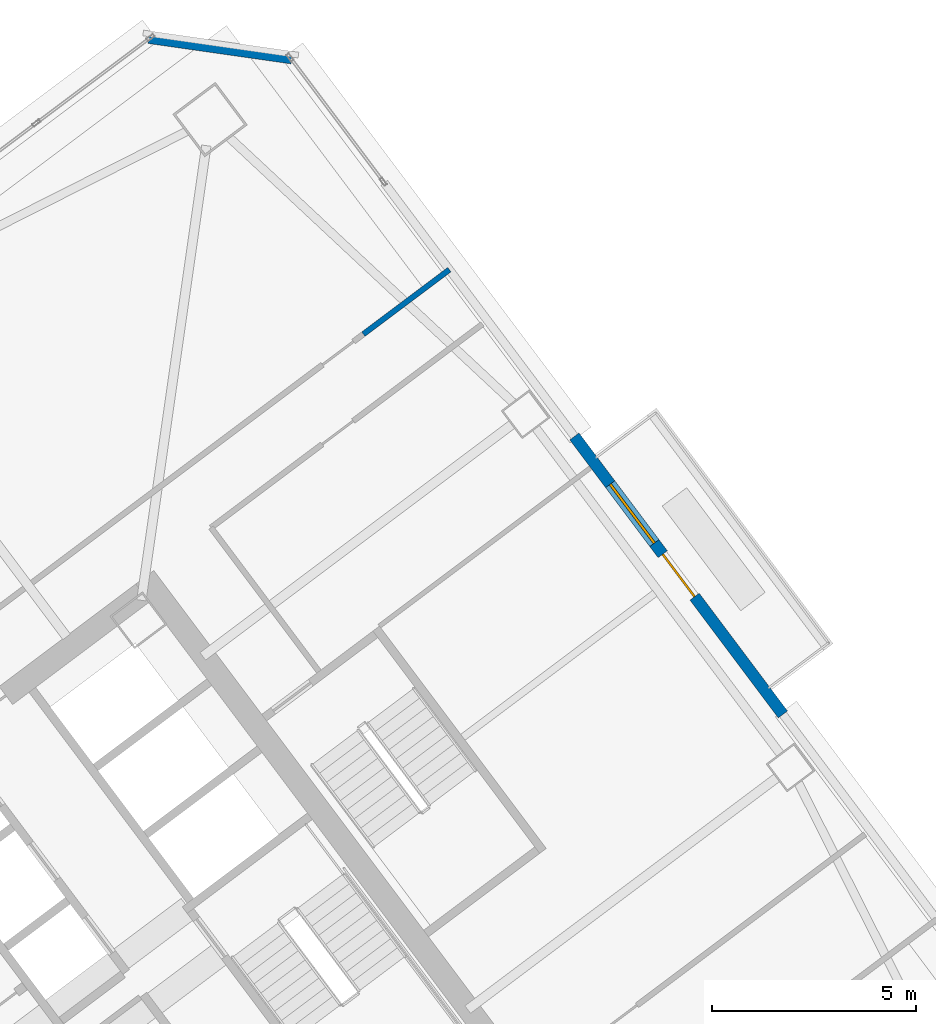
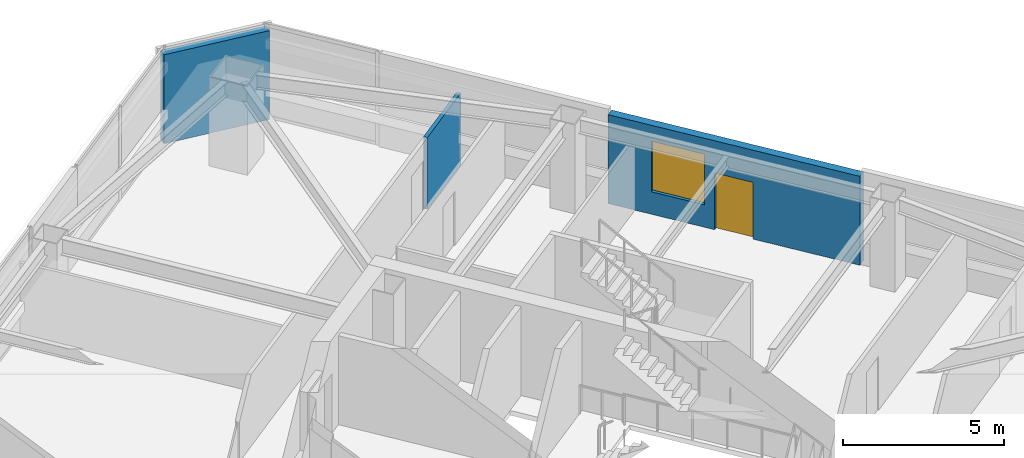
# One storey, part 39 of 46: 3 walls, 1 door, 1 window, 2 openings.
"""IFC4 building model written with IfcOpenShell, lengths in metres."""

from ifc_helpers import new_model, si_unit, direction, frame, frame_2d, origin, place, context, subcontext, project, spatial, rectangle, extrude, material, layer, layer_set, type_object, element, fill, save


model = new_model("IFC4")

# Units and contexts
model_context = context("Model", 3, precision=1e-05, world=origin(), true_north=direction((0.0, 1.0)))
body_context = subcontext(model_context, "Body", "Model", "MODEL_VIEW")
ifc_project = project(units=[si_unit("LENGTHUNIT", "METRE"), si_unit("AREAUNIT", "SQUARE_METRE"), si_unit("VOLUMEUNIT", "CUBIC_METRE"), si_unit("PLANEANGLEUNIT", "RADIAN"), si_unit("MASSUNIT", "GRAM", prefix="KILO")], contexts=[model_context])

# Site, building, storey
site_placement = place(None, origin())
site = spatial("IfcSite", under=ifc_project, at=site_placement, CompositionType="ELEMENT")
building_placement = place(site_placement, origin())
building = spatial("IfcBuilding", under=site, at=building_placement, Name="Tashvorn Skyway Center", CompositionType="ELEMENT")
storey_placement = place(building_placement, frame((0.0, 0.0, 132.14990234375)))
storey = spatial("IfcBuildingStorey", under=building, at=storey_placement, Name="L35", CompositionType="ELEMENT", Elevation=132.14990234375)

# Wall, openings, door, window
ifc_material_1 = material(Name="Precast concrete C40/50", Category="concrete")
ifc_layer_1 = layer(ifc_material_1, 0.280029296875)
ifc_layer_set_1 = layer_set([ifc_layer_1], Name="Precast concrete C40/50")
wall_type_1 = type_object("IfcWallType", Name="WALL-EXT-280", PredefinedType="SOLIDWALL", material=ifc_layer_set_1)
wall_1_placement = place(storey_placement, frame((126.073974609375, 46.367919921875, 0.0), z_axis=(0.0, 0.0, 1.0), x_axis=(0.600018382406, -0.799986212866, 0.0)))
wall_1 = element("IfcWall", 1, at=wall_1_placement, inside=storey, type_object=wall_type_1, Name="Tower 2 L35 East Terrace Portal Wall", PredefinedType="SOLIDWALL", context=body_context, shape_type="SweptSolid", body=[
    extrude(rectangle(XDim=8.5, YDim=0.280029296875, at=frame_2d((4.25, 0.0))), origin(), (0.0, 0.0, 1.0), 3.3701171875),
])
opening_1_placement = place(wall_1_placement, frame((3.60009765625, 0.0, 0.0)))
opening_1 = element("IfcOpeningElement", 2, at=opening_1_placement, cuts=wall_1, Name="Opening D-TER-1300", PredefinedType="OPENING", context=body_context, shape_type="SweptSolid", body=[
    extrude(rectangle(XDim=1.300048828125, YDim=2.14990234375, at=frame_2d((0.64990234375, 1.074951171875))), frame((0.0, 0.14990234375, 0.0), z_axis=(0.0, -1.0, 0.0), x_axis=(1.0, 0.0, 0.0)), (0.0, 0.0, 1.0), 0.300048828125),
])
opening_2_placement = place(wall_1_placement, frame((1.4599609375, 0.0, 0.85009765625)))
opening_2 = element("IfcOpeningElement", 3, at=opening_2_placement, cuts=wall_1, Name="Opening WIN-1800", PredefinedType="OPENING", context=body_context, shape_type="SweptSolid", body=[
    extrude(rectangle(XDim=1.800048828125, YDim=1.919921875, at=frame_2d((0.89990234375, 0.9599609375))), frame((0.0, 0.14990234375, 0.0), z_axis=(0.0, -1.0, 0.0), x_axis=(1.0, 0.0, 0.0)), (0.0, 0.0, 1.0), 0.300048828125),
])
ifc_material_2 = material(Name="Thermally broken bronze-anodized aluminium 6063-T6", Category="aluminium")
door_type = type_object("IfcDoorType", Name="DOOR-TERR-1300", OperationType="NOTDEFINED", PredefinedType="DOOR", material=ifc_material_2)
door_placement = place(opening_1_placement, origin())
door = element("IfcDoor", 4, at=door_placement, inside=storey, type_object=door_type, Name="Tower 2 L35 Terrace Access Door", OperationType="SINGLE_SWING_RIGHT", OverallHeight=2.14990234375, OverallWidth=1.300048828125, PredefinedType="DOOR", context=body_context, shape_type="SweptSolid", body=[
    extrude(rectangle(XDim=1.300048828125, YDim=2.14990234375, at=frame_2d((0.64990234375, 1.074951171875))), frame((0.0, 0.02490234375, 0.0), z_axis=(0.0, -1.0, 0.0), x_axis=(1.0, 0.0, 0.0)), (0.0, 0.0, 1.0), 0.050048828125),
])
fill(opening_1, door)
ifc_material_3 = material(Name="Low-E solar-control double insulating safety glass", Category="glass")
window_type = type_object("IfcWindowType", Name="WIN-TERR-1800", PartitioningType="SINGLE_PANEL", PredefinedType="WINDOW", material=ifc_material_3)
window_placement = place(opening_2_placement, origin())
window = element("IfcWindow", 5, at=window_placement, inside=storey, type_object=window_type, Name="Tower 2 L35 Terrace Window", OverallHeight=1.919921875, OverallWidth=1.800048828125, PartitioningType="SINGLE_PANEL", PredefinedType="WINDOW", context=body_context, shape_type="SweptSolid", body=[
    extrude(rectangle(XDim=1.800048828125, YDim=1.919921875, at=frame_2d((0.89990234375, 0.9599609375))), frame((0.0, 0.030029296875, 0.0), z_axis=(0.0, -1.0, 0.0), x_axis=(1.0, 0.0, 0.0)), (0.0, 0.0, 1.0), 0.06005859375),
])
fill(opening_2, window)

# Walls
wall_2_placement = place(storey_placement, frame((115.659912109375, 56.1201171875, 0.0), z_axis=(0.0, 0.0, 1.0), x_axis=(0.989949493661, -0.141421356237, 0.0)))
element("IfcWall", 6, at=wall_2_placement, inside=storey, type_object=wall_type_1, Name="Tower 2 L35 NE Precast Chamfer Wall", PredefinedType="SOLIDWALL", context=body_context, shape_type="SweptSolid", body=[
    extrude(rectangle(XDim=3.53564453125, YDim=0.280029296875, at=frame_2d((1.767822265625, 0.0))), origin(), (0.0, 0.0, 1.0), 3.3701171875),
])
ifc_material_4 = material(Name="Gypsum board on cold-formed steel stud framing", Category="steel")
ifc_layer_2 = layer(ifc_material_4, 0.135009765625)
ifc_layer_set_2 = layer_set([ifc_layer_2], Name="Gypsum board on cold-formed steel stud framing")
wall_type_2 = type_object("IfcWallType", Name="WALL-PART-135", PredefinedType="PARTITIONING", material=ifc_layer_set_2)
wall_3_placement = place(storey_placement, frame((120.909912109375, 48.8701171875, 0.0), z_axis=(0.0, 0.0, 1.0), x_axis=(0.80002227902, 0.599970293491, 0.0)))
element("IfcWall", 7, at=wall_3_placement, inside=storey, type_object=wall_type_2, Name="Tower 2 L35 North-East Suite South Wall", PredefinedType="PARTITIONING", context=body_context, shape_type="SweptSolid", body=[
    extrude(rectangle(XDim=2.6298828125, YDim=0.135009765625, at=frame_2d((1.31494140625, 0.0))), origin(), (0.0, 0.0, 1.0), 2.72314453125),
])

save(model, "model.ifc")
